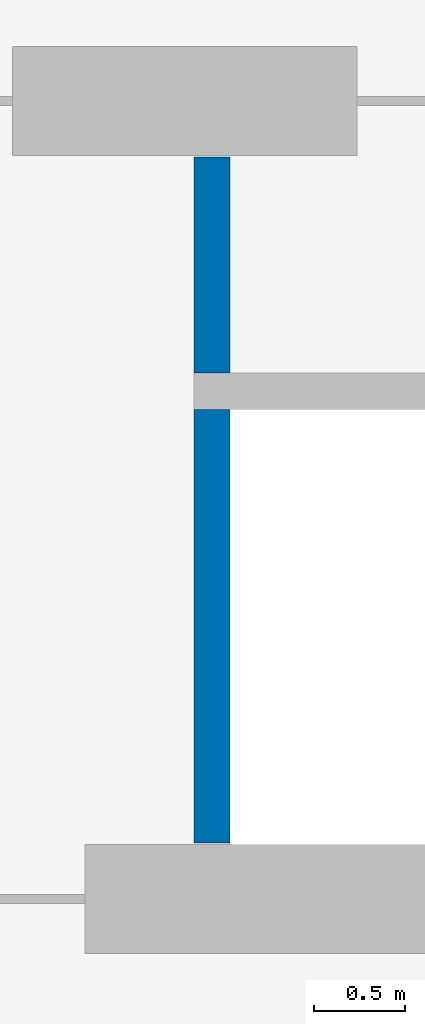
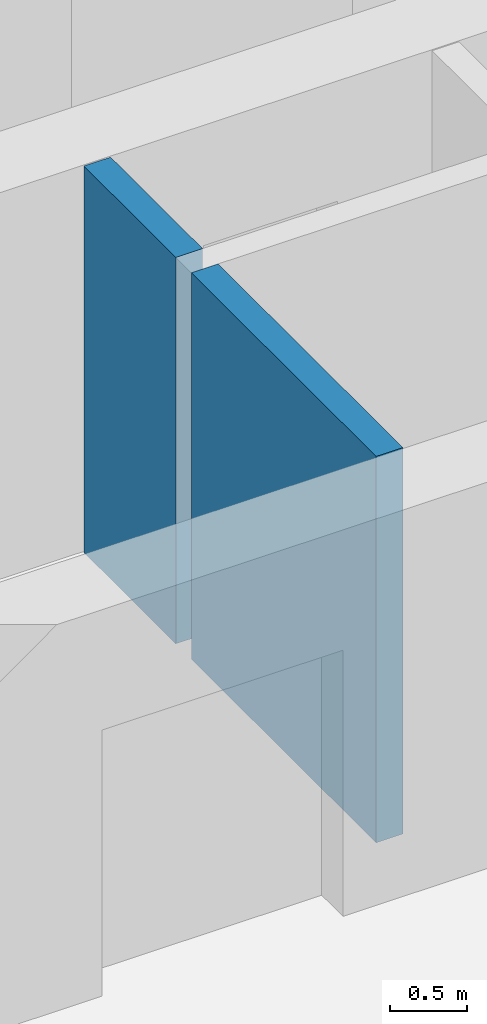
# One storey, part 12 of 21: 2 walls.
"""IFC4 building model written with IfcOpenShell, lengths in metres."""

from ifc_helpers import new_model, si_unit, direction, frame, frame_2d, origin, place, context, subcontext, project, spatial, rectangle, extrude, material, layer, layer_set, type_object, element, save


model = new_model("IFC4")

# Units and contexts
model_context = context("Model", 3, precision=1e-05, world=origin(), true_north=direction((0.0, 1.0)))
body_context = subcontext(model_context, "Body", "Model", "MODEL_VIEW")
ifc_project = project(units=[si_unit("LENGTHUNIT", "METRE"), si_unit("AREAUNIT", "SQUARE_METRE"), si_unit("VOLUMEUNIT", "CUBIC_METRE"), si_unit("PLANEANGLEUNIT", "RADIAN"), si_unit("MASSUNIT", "GRAM", prefix="KILO")], contexts=[model_context])

# Site, building, storey
site_placement = place(None, origin())
site = spatial("IfcSite", under=ifc_project, at=site_placement, CompositionType="ELEMENT")
building_placement = place(site_placement, origin())
building = spatial("IfcBuilding", under=site, at=building_placement, Name="Poui Terraces", CompositionType="ELEMENT")
storey_placement = place(building_placement, frame((0.0, 0.0, 53.10009765625)))
storey = spatial("IfcBuildingStorey", under=building, at=storey_placement, Name="L14", CompositionType="ELEMENT", Elevation=53.10009765625)

# Walls
ifc_material_1 = material(Name="Fire-rated masonry wall", Category="masonry")
ifc_layer_1 = layer(ifc_material_1, 0.199951171875)
ifc_layer_set_1 = layer_set([ifc_layer_1], Name="Fire-rated masonry wall")
wall_type_1 = type_object("IfcWallType", Name="PLANT ROOM WALL 200", PredefinedType="PARTITIONING", material=ifc_layer_set_1)
wall_1_placement = place(storey_placement, frame((52.60009765625, 26.300048828125, 0.0), z_axis=(0.0, 0.0, 1.0), x_axis=(0.0, 1.0, 0.0)))
element("IfcWall", 1, at=wall_1_placement, inside=storey, type_object=wall_type_1, Name="PLANT ROOM WALL 200", PredefinedType="PARTITIONING", context=body_context, shape_type="SweptSolid", body=[
    extrude(rectangle(XDim=1.18994140625, YDim=0.199951171875, at=frame_2d((0.594970703125, 0.0))), origin(), (0.0, 0.0, 1.0), 3.0498046875),
])
ifc_material_2 = material(Name="Fire-rated masonry shaft wall", Category="masonry")
ifc_layer_2 = layer(ifc_material_2, 0.199951171875)
ifc_layer_set_2 = layer_set([ifc_layer_2], Name="Fire-rated masonry shaft wall")
wall_type_2 = type_object("IfcWallType", Name="SHAFT WALL 200", PredefinedType="PARTITIONING", material=ifc_layer_set_2)
wall_2_placement = place(storey_placement, frame((52.60009765625, 23.7099609375, 0.0), z_axis=(0.0, 0.0, 1.0), x_axis=(0.0, 1.0, 0.0)))
element("IfcWall", 2, at=wall_2_placement, inside=storey, type_object=wall_type_2, Name="SHAFT WALL 200", PredefinedType="PARTITIONING", context=body_context, shape_type="SweptSolid", body=[
    extrude(rectangle(XDim=2.39013671875, YDim=0.199951171875, at=frame_2d((1.195068359375, 0.0))), origin(), (0.0, 0.0, 1.0), 3.0498046875),
])

save(model, "model.ifc")
